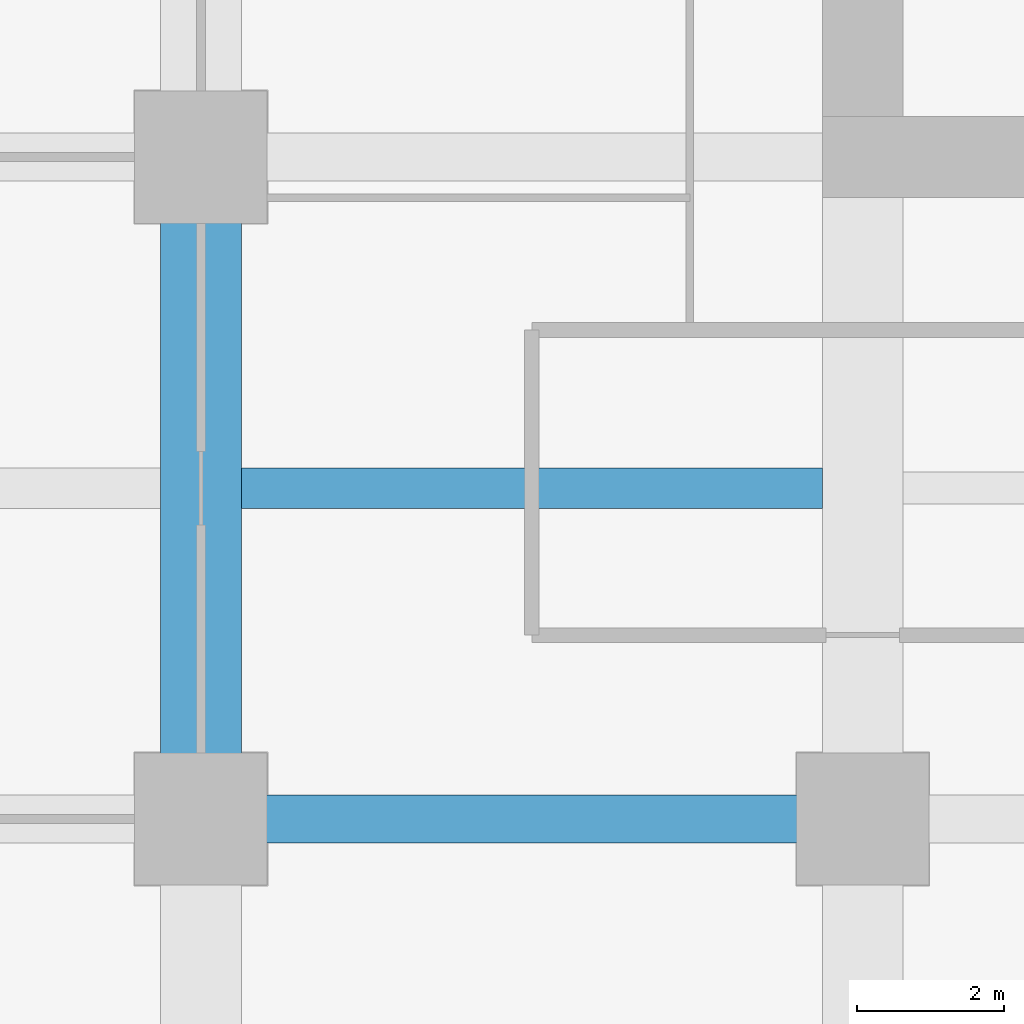
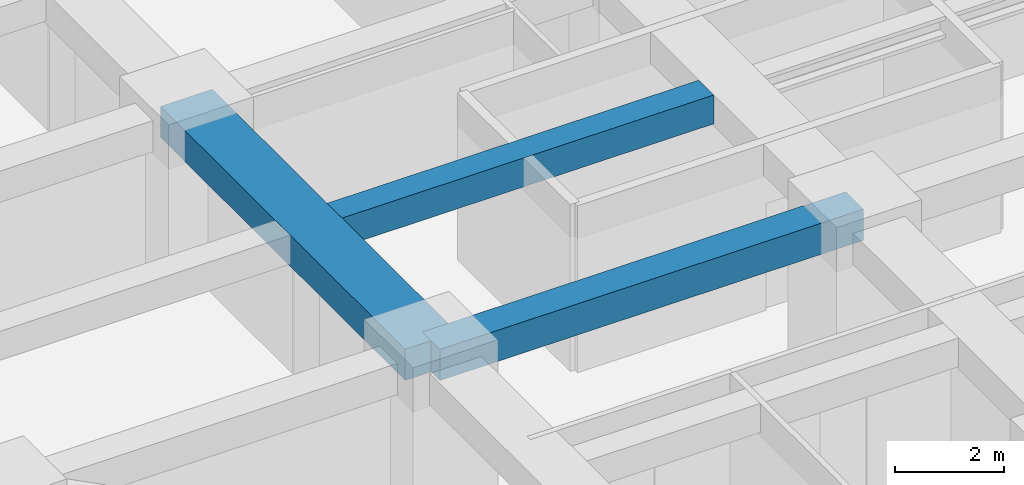
# One storey, part 5 of 40: 3 beams.
"""IFC4 building model written with IfcOpenShell, lengths in metres."""

from ifc_helpers import new_model, si_unit, direction, frame, origin, origin_2d, place, context, subcontext, project, spatial, rectangle, extrude, material, material_profile, profile_set, type_object, element, save


model = new_model("IFC4")

# Units and contexts
model_context = context("Model", 3, precision=1e-05, world=origin(), true_north=direction((0.0, 1.0)))
body_context = subcontext(model_context, "Body", "Model", "MODEL_VIEW")
ifc_project = project(units=[si_unit("LENGTHUNIT", "METRE"), si_unit("AREAUNIT", "SQUARE_METRE"), si_unit("VOLUMEUNIT", "CUBIC_METRE"), si_unit("PLANEANGLEUNIT", "RADIAN"), si_unit("MASSUNIT", "GRAM", prefix="KILO")], contexts=[model_context])

# Site, building, storey
site_placement = place(None, origin())
site = spatial("IfcSite", under=ifc_project, at=site_placement, CompositionType="ELEMENT")
building_placement = place(site_placement, origin())
building = spatial("IfcBuilding", under=site, at=building_placement, Name="Zorevar Civic Tower", CompositionType="ELEMENT")
storey_placement = place(building_placement, frame((0.0, 0.0, 129.0)))
storey = spatial("IfcBuildingStorey", under=building, at=storey_placement, Name="L31", CompositionType="ELEMENT", Elevation=129.0)

# Beams
ifc_material_1 = material(Name="Concrete C50/60", Category="concrete")
ifc_material_profile_1 = material_profile(ifc_material_1, rectangle(XDim=1.10009765625, YDim=0.699951171875, at=origin_2d()), Name="RC 1100x700")
ifc_profile_set_1 = profile_set([ifc_material_profile_1], Name="Concrete C50/60")
beam_type_1 = type_object("IfcBeamType", Name="Beam RC 1100x700", PredefinedType="BEAM", material=ifc_profile_set_1)
beam_1_placement = place(storey_placement, frame((9.0, 9.0, 3.39990234375), z_axis=(0.0, 1.0, 0.0), x_axis=(-1.0, 0.0, 0.0)))
element("IfcBeam", 1, at=beam_1_placement, inside=storey, type_object=beam_type_1, Name="Girder L32", PredefinedType="BEAM", context=body_context, shape_type="SweptSolid", body=[
    extrude(rectangle(XDim=1.10009765625, YDim=0.699951171875, at=origin_2d()), origin(), (0.0, 0.0, 1.0), 9.0),
])
ifc_material_2 = material(Name="Concrete C50/60", Category="concrete")
ifc_material_profile_2 = material_profile(ifc_material_2, rectangle(XDim=0.550048828125, YDim=0.64990234375, at=origin_2d()), Name="RC 550x650")
ifc_profile_set_2 = profile_set([ifc_material_profile_2], Name="Concrete C50/60")
beam_type_2 = type_object("IfcBeamType", Name="Beam RC 550x650", PredefinedType="BEAM", material=ifc_profile_set_2)
beam_2_placement = place(storey_placement, frame((9.550048828125, 13.5, 3.425048828125), z_axis=(1.0, 0.0, 0.0), x_axis=(0.0, 1.0, 0.0)))
element("IfcBeam", 2, at=beam_2_placement, inside=storey, type_object=beam_type_2, Name="Secondary beam L32", PredefinedType="BEAM", context=body_context, shape_type="SweptSolid", body=[
    extrude(rectangle(XDim=0.550048828125, YDim=0.64990234375, at=origin_2d()), origin(), (0.0, 0.0, 1.0), 7.89990234375),
])
ifc_material_3 = material(Name="Concrete C50/60", Category="concrete")
ifc_material_profile_3 = material_profile(ifc_material_3, rectangle(XDim=0.64990234375, YDim=0.699951171875, at=origin_2d()), Name="RC 650x700")
ifc_profile_set_3 = profile_set([ifc_material_profile_3], Name="Concrete C50/60")
beam_type_3 = type_object("IfcBeamType", Name="Beam RC 650x700", PredefinedType="BEAM", material=ifc_profile_set_3)
beam_3_placement = place(storey_placement, frame((9.0, 9.0, 3.39990234375), z_axis=(1.0, 0.0, 0.0), x_axis=(0.0, 1.0, 0.0)))
element("IfcBeam", 3, at=beam_3_placement, inside=storey, type_object=beam_type_3, Name="Girder L32", PredefinedType="BEAM", context=body_context, shape_type="SweptSolid", body=[
    extrude(rectangle(XDim=0.64990234375, YDim=0.699951171875, at=origin_2d()), origin(), (0.0, 0.0, 1.0), 9.0),
])

save(model, "model.ifc")
